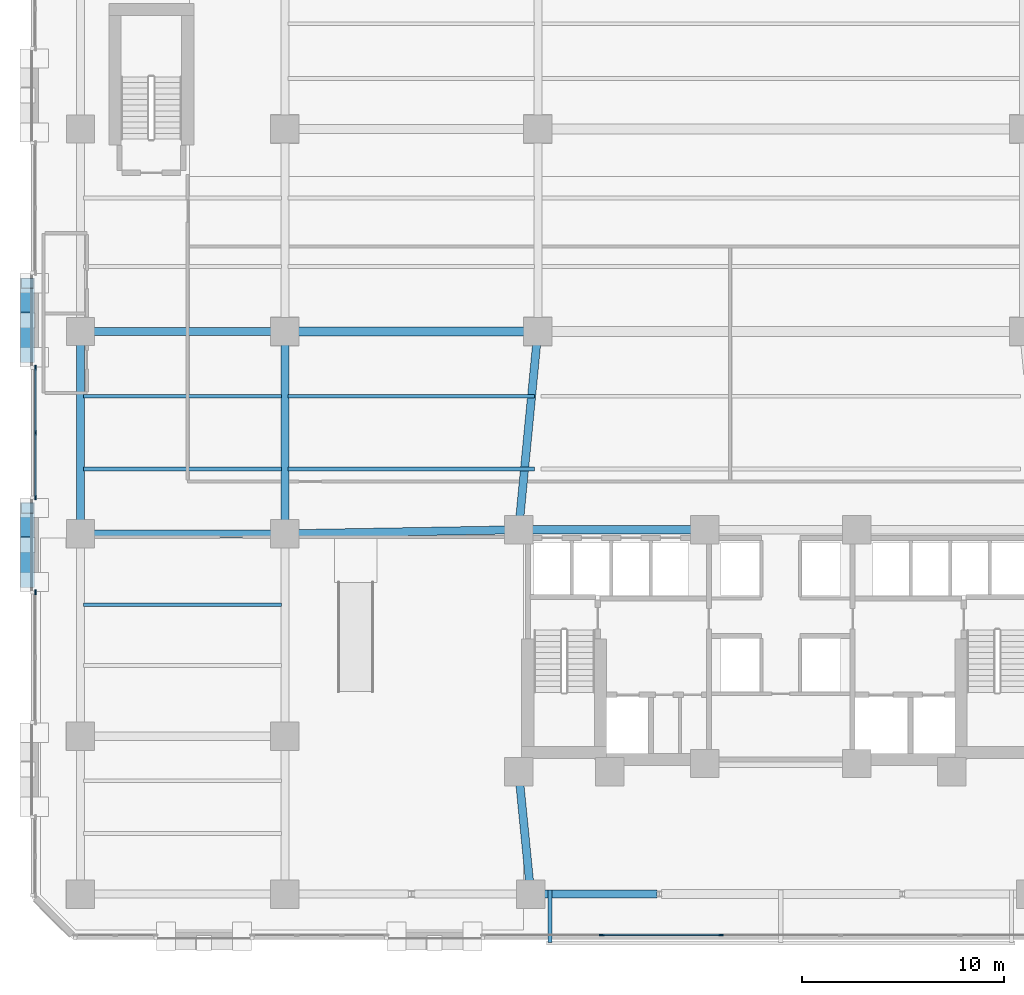
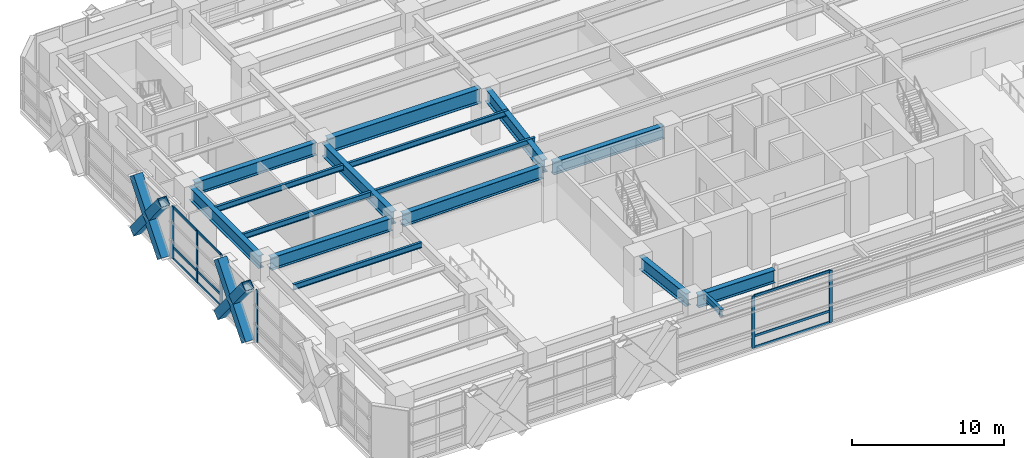
# One storey, part 7 of 30: 21 members, 16 beams, 3 elements without a shape of their own.
"""IFC4 building model written with IfcOpenShell, lengths in metres."""

from ifc_helpers import new_model, si_unit, direction, frame, origin, origin_2d, place, context, subcontext, project, spatial, rectangle, hollow_rectangle, i_section, extrude, material, material_profile, profile_set, type_object, element, aggregate, save


model = new_model("IFC4")

# Units and contexts
model_context = context("Model", 3, precision=1e-05, world=origin(), true_north=direction((0.0, 1.0)))
body_context = subcontext(model_context, "Body", "Model", "MODEL_VIEW")
ifc_project = project(units=[si_unit("LENGTHUNIT", "METRE"), si_unit("AREAUNIT", "SQUARE_METRE"), si_unit("VOLUMEUNIT", "CUBIC_METRE"), si_unit("PLANEANGLEUNIT", "RADIAN"), si_unit("MASSUNIT", "GRAM", prefix="KILO")], contexts=[model_context])

# Site, building, storey
site_placement = place(None, origin())
site = spatial("IfcSite", under=ifc_project, at=site_placement, CompositionType="ELEMENT")
building_placement = place(site_placement, origin())
building = spatial("IfcBuilding", under=site, at=building_placement, Name="Quenlor Broadcast Tower", CompositionType="ELEMENT")
storey_placement = place(building_placement, frame((0.0, 0.0, 9.5)))
storey = spatial("IfcBuildingStorey", under=building, at=storey_placement, Name="L02", CompositionType="ELEMENT", Elevation=9.5)

# Curtain wall, members
ifc_material_1 = material(Name="Architectural Terracotta and Low-E Glazing", Category="masonry")
curtain_wall_type = type_object("IfcCurtainWallType", Name="Station Concourse and Crown Terracotta Curtain Wall", PredefinedType="NOTDEFINED", material=ifc_material_1)
curtain_wall_1_placement = place(storey_placement, origin())
curtain_wall_1 = element("IfcCurtainWall", 1, at=curtain_wall_1_placement, inside=storey, type_object=curtain_wall_type, Name="L02 Curtain Wall CW6 (L02-S-FULL-G3)", PredefinedType="NOTDEFINED")
ifc_material_2 = material(Name="Aluminium 6063-T6", Category="aluminium")
ifc_material_profile_1 = material_profile(ifc_material_2, rectangle(XDim=0.08203125, YDim=0.239990234375, at=origin_2d()))
ifc_profile_set_1 = profile_set([ifc_material_profile_1], Name="Aluminium 6063-T6 MULL82x240")
member_type_1 = type_object("IfcMemberType", Name="CW6 Aluminium Mullion MULL_CW6", PredefinedType="MULLION", material=ifc_profile_set_1)
member_1_placement = place(storey_placement, frame((-2.9501953125, -24.820068359375, 0.0), z_axis=(0.0, 0.0, 1.0), x_axis=(0.0, -1.0, 0.0)))
member_1 = element("IfcMember", 2, at=member_1_placement, type_object=member_type_1, Name="CW6 mullion 4", PredefinedType="MULLION", context=body_context, shape_type="SweptSolid", body=[
    extrude(rectangle(XDim=0.08203125, YDim=0.239990234375, at=origin_2d()), origin(), (0.0, 0.0, 1.0), 4.199951171875),
])
member_2_placement = place(storey_placement, frame((-8.850341796875, -24.820068359375, 0.0), z_axis=(0.0, 0.0, 1.0), x_axis=(0.0, -1.0, 0.0)))
member_2 = element("IfcMember", 3, at=member_2_placement, type_object=member_type_1, Name="CW6 mullion 5", PredefinedType="MULLION", context=body_context, shape_type="SweptSolid", body=[
    extrude(rectangle(XDim=0.08203125, YDim=0.239990234375, at=origin_2d()), origin(), (0.0, 0.0, 1.0), 4.199951171875),
])

# Curtain wall, member
curtain_wall_2_placement = place(storey_placement, origin())
curtain_wall_2 = element("IfcCurtainWall", 4, at=curtain_wall_2_placement, inside=storey, type_object=curtain_wall_type, Name="L02 Curtain Wall CW6 (L02-W-FULL-G2)", PredefinedType="NOTDEFINED")
member_3_placement = place(storey_placement, frame((-36.820068359375, -7.893798828125, 0.0), z_axis=(0.0, 0.0, 1.0), x_axis=(-1.0, 0.0, 0.0)))
member_3 = element("IfcMember", 5, at=member_3_placement, type_object=member_type_1, Name="CW6 mullion 3", PredefinedType="MULLION", context=body_context, shape_type="SweptSolid", body=[
    extrude(rectangle(XDim=0.08203125, YDim=0.239990234375, at=origin_2d()), origin(), (0.0, 0.0, 1.0), 4.199951171875),
])
aggregate(curtain_wall_2, [member_3])

# Curtain wall, members
curtain_wall_3_placement = place(storey_placement, origin())
curtain_wall_3 = element("IfcCurtainWall", 6, at=curtain_wall_3_placement, inside=storey, type_object=curtain_wall_type, Name="L02 Curtain Wall CW6 (L02-W-FULL-G3)", PredefinedType="NOTDEFINED")
member_4_placement = place(storey_placement, frame((-36.820068359375, -3.206298828125, 0.0), z_axis=(0.0, 0.0, 1.0), x_axis=(-1.0, 0.0, 0.0)))
member_4 = element("IfcMember", 7, at=member_4_placement, type_object=member_type_1, Name="CW6 mullion 1", PredefinedType="MULLION", context=body_context, shape_type="SweptSolid", body=[
    extrude(rectangle(XDim=0.08203125, YDim=0.239990234375, at=origin_2d()), origin(), (0.0, 0.0, 1.0), 4.199951171875),
])
member_5_placement = place(storey_placement, frame((-36.820068359375, 0.0, 0.0), z_axis=(0.0, 0.0, 1.0), x_axis=(-1.0, 0.0, 0.0)))
member_5 = element("IfcMember", 8, at=member_5_placement, type_object=member_type_1, Name="CW6 mullion 2", PredefinedType="MULLION", context=body_context, shape_type="SweptSolid", body=[
    extrude(rectangle(XDim=0.08203125, YDim=0.239990234375, at=origin_2d()), origin(), (0.0, 0.0, 1.0), 4.199951171875),
])
member_6_placement = place(storey_placement, frame((-36.820068359375, 3.206298828125, 0.0), z_axis=(0.0, 0.0, 1.0), x_axis=(-1.0, 0.0, 0.0)))
member_6 = element("IfcMember", 9, at=member_6_placement, type_object=member_type_1, Name="CW6 mullion 3", PredefinedType="MULLION", context=body_context, shape_type="SweptSolid", body=[
    extrude(rectangle(XDim=0.08203125, YDim=0.239990234375, at=origin_2d()), origin(), (0.0, 0.0, 1.0), 4.199951171875),
])

# Member
ifc_material_3 = material(Name="Aluminium 6063-T6", Category="aluminium")
ifc_material_profile_2 = material_profile(ifc_material_3, rectangle(XDim=0.08203125, YDim=0.195068359375, at=origin_2d()))
ifc_profile_set_2 = profile_set([ifc_material_profile_2], Name="Aluminium 6063-T6 TRAN82x195")
member_type_2 = type_object("IfcMemberType", Name="CW6 Aluminium Transom TRAN_CW6", PredefinedType="USERDEFINED", material=ifc_profile_set_2)
member_7_placement = place(storey_placement, frame((-2.9912109375, -24.820068359375, 0.041015625), z_axis=(-1.0, 0.0, 0.0), x_axis=(0.0, -1.0, 0.0)))
member_7 = element("IfcMember", 10, at=member_7_placement, type_object=member_type_2, Name="CW6 transom 4.1", ObjectType="TRANSOM", PredefinedType="USERDEFINED", context=body_context, shape_type="SweptSolid", body=[
    extrude(rectangle(XDim=0.08203125, YDim=0.195068359375, at=origin_2d()), origin(), (0.0, 0.0, 1.0), 5.818115234375),
])

member_8_placement = place(storey_placement, frame((-2.9912109375, -24.820068359375, 0.949951171875), z_axis=(-1.0, 0.0, 0.0), x_axis=(0.0, -1.0, 0.0)))
member_8 = element("IfcMember", 11, at=member_8_placement, type_object=member_type_2, Name="CW6 transom 4.2", ObjectType="TRANSOM", PredefinedType="USERDEFINED", context=body_context, shape_type="SweptSolid", body=[
    extrude(rectangle(XDim=0.08203125, YDim=0.195068359375, at=origin_2d()), origin(), (0.0, 0.0, 1.0), 5.818115234375),
])

member_9_placement = place(storey_placement, frame((-2.9912109375, -24.820068359375, 4.158935546875), z_axis=(-1.0, 0.0, 0.0), x_axis=(0.0, -1.0, 0.0)))
member_9 = element("IfcMember", 12, at=member_9_placement, type_object=member_type_2, Name="CW6 transom 4.3", ObjectType="TRANSOM", PredefinedType="USERDEFINED", context=body_context, shape_type="SweptSolid", body=[
    extrude(rectangle(XDim=0.08203125, YDim=0.195068359375, at=origin_2d()), origin(), (0.0, 0.0, 1.0), 5.818115234375),
])

aggregate(curtain_wall_1, [member_1, member_2, member_7, member_8, member_9])

member_10_placement = place(storey_placement, frame((-36.820068359375, -3.165283203125, 0.041015625), z_axis=(0.0, 1.0, 0.0), x_axis=(-1.0, 0.0, 0.0)))
member_10 = element("IfcMember", 13, at=member_10_placement, type_object=member_type_2, Name="CW6 transom 1.1", ObjectType="TRANSOM", PredefinedType="USERDEFINED", context=body_context, shape_type="SweptSolid", body=[
    extrude(rectangle(XDim=0.08203125, YDim=0.195068359375, at=origin_2d()), origin(), (0.0, 0.0, 1.0), 3.124267578125),
])

member_11_placement = place(storey_placement, frame((-36.820068359375, -3.165283203125, 0.949951171875), z_axis=(0.0, 1.0, 0.0), x_axis=(-1.0, 0.0, 0.0)))
member_11 = element("IfcMember", 14, at=member_11_placement, type_object=member_type_2, Name="CW6 transom 1.2", ObjectType="TRANSOM", PredefinedType="USERDEFINED", context=body_context, shape_type="SweptSolid", body=[
    extrude(rectangle(XDim=0.08203125, YDim=0.195068359375, at=origin_2d()), origin(), (0.0, 0.0, 1.0), 3.124267578125),
])

member_12_placement = place(storey_placement, frame((-36.820068359375, -3.165283203125, 4.158935546875), z_axis=(0.0, 1.0, 0.0), x_axis=(-1.0, 0.0, 0.0)))
member_12 = element("IfcMember", 15, at=member_12_placement, type_object=member_type_2, Name="CW6 transom 1.3", ObjectType="TRANSOM", PredefinedType="USERDEFINED", context=body_context, shape_type="SweptSolid", body=[
    extrude(rectangle(XDim=0.08203125, YDim=0.195068359375, at=origin_2d()), origin(), (0.0, 0.0, 1.0), 3.124267578125),
])

member_13_placement = place(storey_placement, frame((-36.820068359375, 0.041015625, 0.041015625), z_axis=(0.0, 1.0, 0.0), x_axis=(-1.0, 0.0, 0.0)))
member_13 = element("IfcMember", 16, at=member_13_placement, type_object=member_type_2, Name="CW6 transom 2.1", ObjectType="TRANSOM", PredefinedType="USERDEFINED", context=body_context, shape_type="SweptSolid", body=[
    extrude(rectangle(XDim=0.08203125, YDim=0.195068359375, at=origin_2d()), origin(), (0.0, 0.0, 1.0), 3.124267578125),
])

member_14_placement = place(storey_placement, frame((-36.820068359375, 0.041015625, 0.949951171875), z_axis=(0.0, 1.0, 0.0), x_axis=(-1.0, 0.0, 0.0)))
member_14 = element("IfcMember", 17, at=member_14_placement, type_object=member_type_2, Name="CW6 transom 2.2", ObjectType="TRANSOM", PredefinedType="USERDEFINED", context=body_context, shape_type="SweptSolid", body=[
    extrude(rectangle(XDim=0.08203125, YDim=0.195068359375, at=origin_2d()), origin(), (0.0, 0.0, 1.0), 3.124267578125),
])

member_15_placement = place(storey_placement, frame((-36.820068359375, 0.041015625, 4.158935546875), z_axis=(0.0, 1.0, 0.0), x_axis=(-1.0, 0.0, 0.0)))
member_15 = element("IfcMember", 18, at=member_15_placement, type_object=member_type_2, Name="CW6 transom 2.3", ObjectType="TRANSOM", PredefinedType="USERDEFINED", context=body_context, shape_type="SweptSolid", body=[
    extrude(rectangle(XDim=0.08203125, YDim=0.195068359375, at=origin_2d()), origin(), (0.0, 0.0, 1.0), 3.124267578125),
])

aggregate(curtain_wall_3, [member_4, member_5, member_6, member_10, member_11, member_12, member_13, member_14, member_15])

# Members
ifc_material_4 = material(Name="Steel S355", Category="steel")
ifc_material_profile_3 = material_profile(ifc_material_4, hollow_rectangle(XDim=0.679931640625, YDim=0.679931640625, WallThickness=0.034912109375, at=origin_2d()))
ifc_profile_set_3 = profile_set([ifc_material_profile_3], Name="Steel S355 RHS680x680x35")
member_type_3 = type_object("IfcMemberType", Name="Perimeter Diagonal Lattice Brace Z1 Steel S355 RHS680x35", PredefinedType="BRACE", material=ifc_profile_set_3)
member_16_placement = place(storey_placement, frame((-37.215087890625, -7.377685546875, -0.1201171875), z_axis=(0.0, 0.630516526394, 0.776175824117), x_axis=(-1.0, 0.0, 0.0)))
element("IfcMember", 19, at=member_16_placement, inside=storey, type_object=member_type_3, Name="L02 Podium Diamond Lattice W-P2XA", PredefinedType="BRACE", context=body_context, shape_type="SweptSolid", body=[
    extrude(hollow_rectangle(XDim=0.679931640625, YDim=0.679931640625, WallThickness=0.034912109375, at=origin_2d()), origin(), (0.0, 0.0, 1.0), 5.797607421875),
])
for number, where, z_axis, x_axis, name in (
    (20, (-37.215087890625, -3.72216796875, -0.1201171875), (0.0, -0.630488529208, 0.776198566436), (1.0, 0.0, 0.0), "L02 Podium Diamond Lattice W-P2XB1"),
    (21, (-37.215087890625, -5.70751953125, 2.323974609375), (0.0, -0.630533634598, 0.776161926173), (1.0, 0.0, 0.0), "L02 Podium Diamond Lattice W-P2XB2"),
):
    element("IfcMember", number, at=place(storey_placement, frame(where, z_axis=z_axis, x_axis=x_axis)), inside=storey, type_object=member_type_3, Name=name, PredefinedType="BRACE", context=body_context, shape_type="SweptSolid", body=[
        extrude(hollow_rectangle(XDim=0.679931640625, YDim=0.679931640625, WallThickness=0.034912109375, at=origin_2d()), origin(), (0.0, 0.0, 1.0), 2.64892578125),
    ])
member_17_placement = place(storey_placement, frame((-37.215087890625, 3.72216796875, -0.1201171875), z_axis=(0.0, 0.630516526394, 0.776175824117), x_axis=(-1.0, 0.0, 0.0)))
element("IfcMember", 22, at=member_17_placement, inside=storey, type_object=member_type_3, Name="L02 Podium Diamond Lattice W-P3XA", PredefinedType="BRACE", context=body_context, shape_type="SweptSolid", body=[
    extrude(hollow_rectangle(XDim=0.679931640625, YDim=0.679931640625, WallThickness=0.034912109375, at=origin_2d()), origin(), (0.0, 0.0, 1.0), 5.797607421875),
])
for number, where, z_axis, x_axis, name in (
    (23, (-37.215087890625, 7.377685546875, -0.1201171875), (0.0, -0.630488529208, 0.776198566436), (1.0, 0.0, 0.0), "L02 Podium Diamond Lattice W-P3XB1"),
    (24, (-37.215087890625, 5.392333984375, 2.323974609375), (0.0, -0.630533634598, 0.776161926173), (1.0, 0.0, 0.0), "L02 Podium Diamond Lattice W-P3XB2"),
):
    element("IfcMember", number, at=place(storey_placement, frame(where, z_axis=z_axis, x_axis=x_axis)), inside=storey, type_object=member_type_3, Name=name, PredefinedType="BRACE", context=body_context, shape_type="SweptSolid", body=[
        extrude(hollow_rectangle(XDim=0.679931640625, YDim=0.679931640625, WallThickness=0.034912109375, at=origin_2d()), origin(), (0.0, 0.0, 1.0), 2.64892578125),
    ])

# Beams
ifc_material_5 = material(Name="Steel S355", Category="steel")
ifc_material_profile_4 = material_profile(ifc_material_5, i_section(OverallWidth=0.208984375, OverallDepth=0.532958984375, WebThickness=0.01025390625, FlangeThickness=0.015625, FilletRadius=0.013916015625, at=origin_2d()))
ifc_profile_set_4 = profile_set([ifc_material_profile_4], Name="Steel S355 530UB92.4")
beam_type_1 = type_object("IfcBeamType", Name="Perimeter Spandrel Beam Z1 Steel S355 530UB92.4", PredefinedType="SPANDREL", material=ifc_profile_set_4)
beam_1_placement = place(storey_placement, frame((-11.39990234375, -22.5849609375, 3.93359375), z_axis=(0.0, -1.0, 0.0), x_axis=(1.0, 0.0, 0.0)))
element("IfcBeam", 25, at=beam_1_placement, inside=storey, type_object=beam_type_1, Name="L02 Concourse Portal Lattice Bridge Tie SM1", PredefinedType="SPANDREL", context=body_context, shape_type="SweptSolid", body=[
    extrude(i_section(OverallWidth=0.208984375, OverallDepth=0.532958984375, WebThickness=0.01025390625, FlangeThickness=0.015625, FilletRadius=0.013916015625, at=origin_2d()), origin(), (0.0, 0.0, 1.0), 2.610107421875),
])
ifc_material_6 = material(Name="Steel S355", Category="steel")
ifc_material_profile_5 = material_profile(ifc_material_6, i_section(OverallWidth=0.39990234375, OverallDepth=1.02392578125, WebThickness=0.01611328125, FlangeThickness=0.031982421875, FilletRadius=0.01611328125, at=origin_2d()))
ifc_profile_set_5 = profile_set([ifc_material_profile_5], Name="Steel S355 1000WB322")
beam_type_2 = type_object("IfcBeamType", Name="Podium Concourse Girder Steel S355 1000WB322", PredefinedType="BEAM", material=ifc_profile_set_5)
beam_2_placement = place(storey_placement, frame((-11.929931640625, -22.800048828125, 3.68798828125), z_axis=(1.0, 0.0, 0.0), x_axis=(0.0, 1.0, 0.0)))
element("IfcBeam", 26, at=beam_2_placement, inside=storey, type_object=beam_type_2, Name="L02 Podium Girder 4", PredefinedType="BEAM", context=body_context, shape_type="SweptSolid", body=[
    extrude(i_section(OverallWidth=0.39990234375, OverallDepth=1.02392578125, WebThickness=0.01611328125, FlangeThickness=0.031982421875, FilletRadius=0.01611328125, at=origin_2d()), origin(), (0.0, 0.0, 1.0), 5.822021484375),
])
for number, where, z_axis, x_axis, name in (
    (27, (-34.179931640625, -5.0, 3.68798828125), (1.0, 0.0, 0.0), (0.0, 1.0, 0.0), "L02 Podium Girder 12"),
    (28, (-34.179931640625, 5.0, 3.68798828125), (1.0, 0.0, 0.0), (0.0, 1.0, 0.0), "L02 Podium Girder 14"),
):
    element("IfcBeam", number, at=place(storey_placement, frame(where, z_axis=z_axis, x_axis=x_axis)), inside=storey, type_object=beam_type_2, Name=name, PredefinedType="BEAM", context=body_context, shape_type="SweptSolid", body=[
        extrude(i_section(OverallWidth=0.39990234375, OverallDepth=1.02392578125, WebThickness=0.01611328125, FlangeThickness=0.031982421875, FilletRadius=0.01611328125, at=origin_2d()), origin(), (0.0, 0.0, 1.0), 9.260009765625),
    ])
for number, where, z_axis, x_axis, name in (
    (29, (-34.60009765625, -4.580078125, 3.68798828125), (0.0, 1.0, 0.0), (-1.0, 0.0, 0.0), "L02 Podium Girder 36"),
    (30, (-24.5, -4.580078125, 3.68798828125), (0.0, 1.0, 0.0), (-1.0, 0.0, 0.0), "L02 Podium Girder 41"),
):
    element("IfcBeam", number, at=place(storey_placement, frame(where, z_axis=z_axis, x_axis=x_axis)), inside=storey, type_object=beam_type_2, Name=name, PredefinedType="BEAM", context=body_context, shape_type="SweptSolid", body=[
        extrude(i_section(OverallWidth=0.39990234375, OverallDepth=1.02392578125, WebThickness=0.01611328125, FlangeThickness=0.031982421875, FilletRadius=0.01611328125, at=origin_2d()), origin(), (0.0, 0.0, 1.0), 9.16015625),
    ])
beam_3_placement = place(storey_placement, frame((-12.913330078125, -4.421875, 3.68798828125), z_axis=(0.096489068192, 0.995334044288, 0.0), x_axis=(-0.995334044288, 0.096489068192, 0.0)))
element("IfcBeam", 31, at=beam_3_placement, inside=storey, type_object=beam_type_2, Name="L02 Podium Concourse Girder 1", PredefinedType="BEAM", context=body_context, shape_type="SweptSolid", body=[
    extrude(i_section(OverallWidth=0.39990234375, OverallDepth=1.02392578125, WebThickness=0.01611328125, FlangeThickness=0.031982421875, FilletRadius=0.01611328125, at=origin_2d()), origin(), (0.0, 0.0, 1.0), 9.086181640625),
])
beam_4_placement = place(storey_placement, frame((-12.91259765625, -17.128173828125, 3.68798828125), z_axis=(0.098717586069, -0.995115489881, 0.0), x_axis=(0.995115489881, 0.098717586069, 0.0)))
element("IfcBeam", 32, at=beam_4_placement, inside=storey, type_object=beam_type_2, Name="L02 Podium Concourse Girder 3", PredefinedType="BEAM", context=body_context, shape_type="SweptSolid", body=[
    extrude(i_section(OverallWidth=0.39990234375, OverallDepth=1.02392578125, WebThickness=0.01611328125, FlangeThickness=0.031982421875, FilletRadius=0.01611328125, at=origin_2d()), origin(), (0.0, 0.0, 1.0), 5.319580078125),
])
beam_5_placement = place(storey_placement, frame((-13.329833984375, -4.806640625, 3.68798828125), z_axis=(-0.999850235211, -0.017306274859, 0.0), x_axis=(0.017306274859, -0.999850235211, 0.0)))
element("IfcBeam", 33, at=beam_5_placement, inside=storey, type_object=beam_type_2, Name="L02 Podium Concourse Girder 5", PredefinedType="BEAM", context=body_context, shape_type="SweptSolid", body=[
    extrude(i_section(OverallWidth=0.39990234375, OverallDepth=1.02392578125, WebThickness=0.01611328125, FlangeThickness=0.031982421875, FilletRadius=0.01611328125, at=origin_2d()), origin(), (0.0, 0.0, 1.0), 10.7919921875),
])
beam_6_placement = place(storey_placement, frame((-12.570068359375, -4.800048828125, 3.68798828125), z_axis=(1.0, 0.0, 0.0), x_axis=(0.0, 1.0, 0.0)))
element("IfcBeam", 34, at=beam_6_placement, inside=storey, type_object=beam_type_2, Name="L02 Podium Concourse Girder 9", PredefinedType="BEAM", context=body_context, shape_type="SweptSolid", body=[
    extrude(i_section(OverallWidth=0.39990234375, OverallDepth=1.02392578125, WebThickness=0.01611328125, FlangeThickness=0.031982421875, FilletRadius=0.01611328125, at=origin_2d()), origin(), (0.0, 0.0, 1.0), 8.440185546875),
])
ifc_material_7 = material(Name="Steel S355", Category="steel")
ifc_material_profile_6 = material_profile(ifc_material_7, i_section(OverallWidth=0.18994140625, OverallDepth=0.453857421875, WebThickness=0.008544921875, FlangeThickness=0.0126953125, FilletRadius=0.011474609375, at=origin_2d()))
ifc_profile_set_6 = profile_set([ifc_material_profile_6], Name="Steel S355 460UB67.1")
beam_type_3 = type_object("IfcBeamType", Name="Podium Floor Joist Steel S355 460UB67.1", PredefinedType="JOIST", material=ifc_profile_set_6)
for number, where, z_axis, x_axis, name in (
    (35, (-34.43994140625, -8.5, 3.97314453125), (1.0, 0.0, 0.0), (0.0, 1.0, 0.0), "L02 Podium Floor Joist 27"),
    (36, (-34.43994140625, -1.800048828125, 3.97314453125), (1.0, 0.0, 0.0), (0.0, 1.0, 0.0), "L02 Podium Floor Joist 29"),
    (37, (-34.43994140625, 1.800048828125, 3.97314453125), (1.0, 0.0, 0.0), (0.0, 1.0, 0.0), "L02 Podium Floor Joist 31"),
):
    element("IfcBeam", number, at=place(storey_placement, frame(where, z_axis=z_axis, x_axis=x_axis)), inside=storey, type_object=beam_type_3, Name=name, PredefinedType="JOIST", context=body_context, shape_type="SweptSolid", body=[
        extrude(i_section(OverallWidth=0.18994140625, OverallDepth=0.453857421875, WebThickness=0.008544921875, FlangeThickness=0.0126953125, FilletRadius=0.011474609375, at=origin_2d()), origin(), (0.0, 0.0, 1.0), 9.780029296875),
    ])
for number, where, z_axis, x_axis, name in (
    (38, (-24.340087890625, -1.800048828125, 3.97314453125), (1.0, 0.0, 0.0), (0.0, 1.0, 0.0), "L02 Podium Floor Joist 33"),
    (39, (-24.340087890625, 1.800048828125, 3.97314453125), (1.0, 0.0, 0.0), (0.0, 1.0, 0.0), "L02 Podium Floor Joist 36"),
):
    element("IfcBeam", number, at=place(storey_placement, frame(where, z_axis=z_axis, x_axis=x_axis)), inside=storey, type_object=beam_type_3, Name=name, PredefinedType="JOIST", context=body_context, shape_type="SweptSolid", body=[
        extrude(i_section(OverallWidth=0.18994140625, OverallDepth=0.453857421875, WebThickness=0.008544921875, FlangeThickness=0.0126953125, FilletRadius=0.011474609375, at=origin_2d()), origin(), (0.0, 0.0, 1.0), 12.18017578125),
    ])
ifc_material_8 = material(Name="Steel S355", Category="steel")
ifc_material_profile_7 = material_profile(ifc_material_8, i_section(OverallWidth=0.449951171875, OverallDepth=1.18798828125, WebThickness=0.01806640625, FlangeThickness=0.031982421875, FilletRadius=0.01611328125, at=origin_2d()))
ifc_profile_set_7 = profile_set([ifc_material_profile_7], Name="Steel S355 1200WB392")
beam_type_4 = type_object("IfcBeamType", Name="Podium Secondary Studio Girder Steel S355 1200WB392", PredefinedType="BEAM", material=ifc_profile_set_7)
beam_7_placement = place(storey_placement, frame((-24.080078125, 5.0, 3.60595703125), z_axis=(1.0, 0.0, 0.0), x_axis=(0.0, 1.0, 0.0)))
element("IfcBeam", 40, at=beam_7_placement, inside=storey, type_object=beam_type_4, Name="L02 Podium Girder 15", PredefinedType="BEAM", context=body_context, shape_type="SweptSolid", body=[
    extrude(i_section(OverallWidth=0.449951171875, OverallDepth=1.18798828125, WebThickness=0.01806640625, FlangeThickness=0.031982421875, FilletRadius=0.01611328125, at=origin_2d()), origin(), (0.0, 0.0, 1.0), 11.66015625),
])

save(model, "model.ifc")
